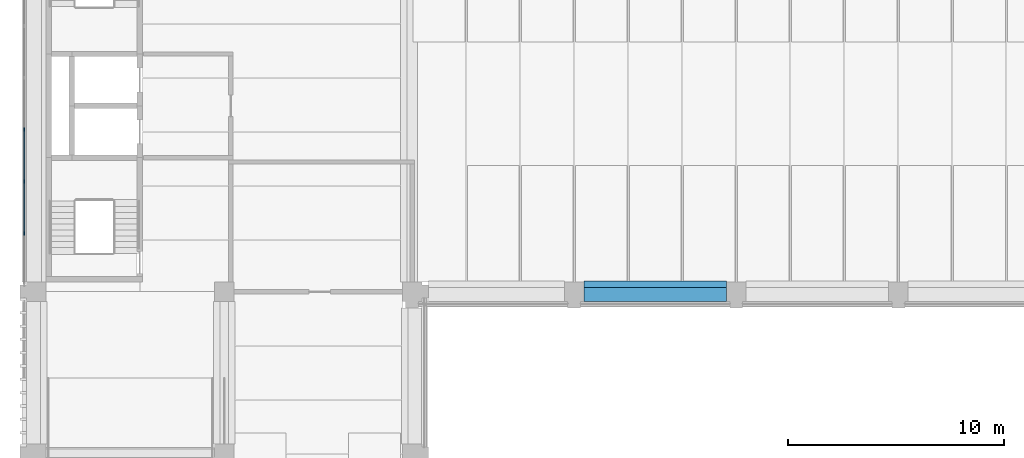
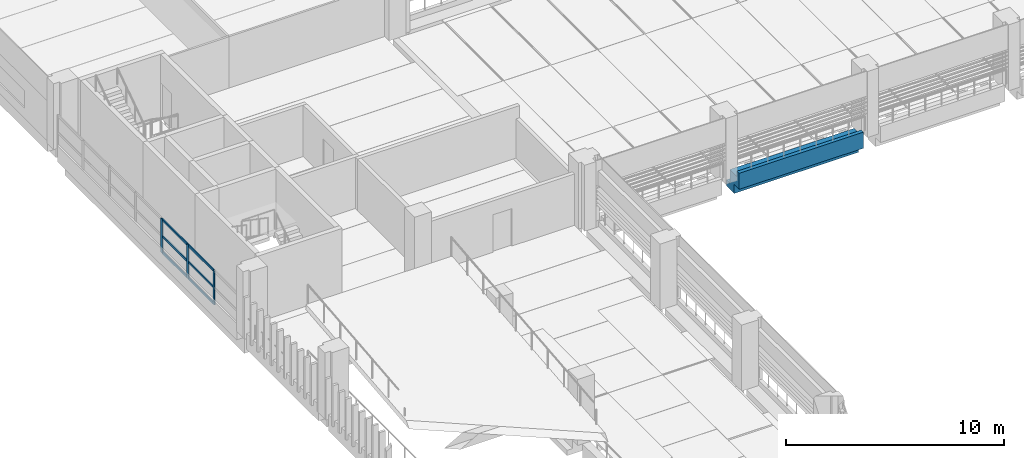
# One storey, part 4 of 57: 9 members, 1 beam, 1 element without a shape of its own.
"""IFC4 building model written with IfcOpenShell, lengths in metres."""

from ifc_helpers import new_model, si_unit, direction, frame, origin, origin_2d, place, context, subcontext, project, spatial, polyline, rectangle, outline, extrude, material, layer, layer_set, material_profile, profile_set, type_object, element, aggregate, save


model = new_model("IFC4")

# Units and contexts
model_context = context("Model", 3, precision=1e-05, world=origin(), true_north=direction((0.0, 1.0)))
body_context = subcontext(model_context, "Body", "Model", "MODEL_VIEW")
ifc_project = project(units=[si_unit("LENGTHUNIT", "METRE"), si_unit("AREAUNIT", "SQUARE_METRE"), si_unit("VOLUMEUNIT", "CUBIC_METRE"), si_unit("PLANEANGLEUNIT", "RADIAN"), si_unit("MASSUNIT", "GRAM", prefix="KILO")], contexts=[model_context])

# Site, building, storey
site_placement = place(None, origin())
site = spatial("IfcSite", under=ifc_project, at=site_placement, CompositionType="ELEMENT")
building_placement = place(site_placement, origin())
building = spatial("IfcBuilding", under=site, at=building_placement, Name="Cour d'Honneur Mobility Palace", CompositionType="ELEMENT")
storey_placement = place(building_placement, frame((0.0, 0.0, 8.199951171875)))
storey = spatial("IfcBuildingStorey", under=building, at=storey_placement, Name="L02", CompositionType="ELEMENT", Elevation=8.199951171875)

# Curtain wall, members
ifc_material_1 = material(Name="Aluminium and glass", Category="aluminium")
ifc_layer = layer(ifc_material_1, 0.10009765625)
ifc_layer_set = layer_set([ifc_layer], Name="Aluminium and glass")
curtain_wall_type = type_object("IfcCurtainWallType", Name="Curtain wall run", PredefinedType="NOTDEFINED", material=ifc_layer_set)
curtain_wall_placement = place(storey_placement, origin())
curtain_wall = element("IfcCurtainWall", 1, at=curtain_wall_placement, inside=storey, type_object=curtain_wall_type, Name="Curtain wall CW-101", PredefinedType="NOTDEFINED")
ifc_material_2 = material(Name="Aluminium", Category="aluminium")
ifc_material_profile_1 = material_profile(ifc_material_2, rectangle(XDim=0.06005859375, YDim=0.159912109375, at=origin_2d()), Name="Curtain wall mullion")
ifc_profile_set_1 = profile_set([ifc_material_profile_1], Name="Aluminium")
member_type_1 = type_object("IfcMemberType", Name="Curtain wall mullion", PredefinedType="MULLION", material=ifc_profile_set_1)
member_1_placement = place(storey_placement, frame((-0.550048828125, 52.5, 0.0), z_axis=(0.0, 0.0, 1.0), x_axis=(1.0, 0.0, 0.0)))
member_1 = element("IfcMember", 2, at=member_1_placement, type_object=member_type_1, Name="CW-101 mullion 5", PredefinedType="MULLION", context=body_context, shape_type="SweptSolid", body=[
    extrude(rectangle(XDim=0.06005859375, YDim=0.159912109375, at=origin_2d()), origin(), (0.0, 0.0, 1.0), 1.900146484375),
])
member_2_placement = place(storey_placement, frame((-0.550048828125, 50.10009765625, 0.0), z_axis=(0.0, 0.0, 1.0), x_axis=(1.0, 0.0, 0.0)))
member_2 = element("IfcMember", 3, at=member_2_placement, type_object=member_type_1, Name="CW-101 mullion 6", PredefinedType="MULLION", context=body_context, shape_type="SweptSolid", body=[
    extrude(rectangle(XDim=0.06005859375, YDim=0.159912109375, at=origin_2d()), origin(), (0.0, 0.0, 1.0), 1.900146484375),
])
member_3_placement = place(storey_placement, frame((-0.550048828125, 47.699951171875, 0.0), z_axis=(0.0, 0.0, 1.0), x_axis=(1.0, 0.0, 0.0)))
member_3 = element("IfcMember", 4, at=member_3_placement, type_object=member_type_1, Name="CW-101 mullion 7", PredefinedType="MULLION", context=body_context, shape_type="SweptSolid", body=[
    extrude(rectangle(XDim=0.06005859375, YDim=0.159912109375, at=origin_2d()), origin(), (0.0, 0.0, 1.0), 1.900146484375),
])
ifc_material_3 = material(Name="Aluminium", Category="aluminium")
ifc_material_profile_2 = material_profile(ifc_material_3, rectangle(XDim=0.06005859375, YDim=0.1201171875, at=origin_2d()), Name="Curtain wall transom")
ifc_profile_set_2 = profile_set([ifc_material_profile_2], Name="Aluminium")
member_type_2 = type_object("IfcMemberType", Name="Curtain wall transom", PredefinedType="USERDEFINED", material=ifc_profile_set_2)
member_4_placement = place(storey_placement, frame((-0.550048828125, 52.469970703125, 0.030029296875), z_axis=(0.0, -1.0, 0.0), x_axis=(1.0, 0.0, 0.0)))
member_4 = element("IfcMember", 5, at=member_4_placement, type_object=member_type_2, Name="CW-101 transom 5.1", ObjectType="TRANSOM", PredefinedType="USERDEFINED", context=body_context, shape_type="SweptSolid", body=[
    extrude(rectangle(XDim=0.06005859375, YDim=0.1201171875, at=origin_2d()), origin(), (0.0, 0.0, 1.0), 2.340087890625),
])
member_5_placement = place(storey_placement, frame((-0.550048828125, 52.469970703125, 0.949951171875), z_axis=(0.0, -1.0, 0.0), x_axis=(1.0, 0.0, 0.0)))
member_5 = element("IfcMember", 6, at=member_5_placement, type_object=member_type_2, Name="CW-101 transom 5.2", ObjectType="TRANSOM", PredefinedType="USERDEFINED", context=body_context, shape_type="SweptSolid", body=[
    extrude(rectangle(XDim=0.06005859375, YDim=0.1201171875, at=origin_2d()), origin(), (0.0, 0.0, 1.0), 2.340087890625),
])
member_6_placement = place(storey_placement, frame((-0.550048828125, 52.469970703125, 1.8701171875), z_axis=(0.0, -1.0, 0.0), x_axis=(1.0, 0.0, 0.0)))
member_6 = element("IfcMember", 7, at=member_6_placement, type_object=member_type_2, Name="CW-101 transom 5.3", ObjectType="TRANSOM", PredefinedType="USERDEFINED", context=body_context, shape_type="SweptSolid", body=[
    extrude(rectangle(XDim=0.06005859375, YDim=0.1201171875, at=origin_2d()), origin(), (0.0, 0.0, 1.0), 2.340087890625),
])
member_7_placement = place(storey_placement, frame((-0.550048828125, 50.070068359375, 0.030029296875), z_axis=(0.0, -1.0, 0.0), x_axis=(1.0, 0.0, 0.0)))
member_7 = element("IfcMember", 8, at=member_7_placement, type_object=member_type_2, Name="CW-101 transom 6.1", ObjectType="TRANSOM", PredefinedType="USERDEFINED", context=body_context, shape_type="SweptSolid", body=[
    extrude(rectangle(XDim=0.06005859375, YDim=0.1201171875, at=origin_2d()), origin(), (0.0, 0.0, 1.0), 2.340087890625),
])
member_8_placement = place(storey_placement, frame((-0.550048828125, 50.070068359375, 0.949951171875), z_axis=(0.0, -1.0, 0.0), x_axis=(1.0, 0.0, 0.0)))
member_8 = element("IfcMember", 9, at=member_8_placement, type_object=member_type_2, Name="CW-101 transom 6.2", ObjectType="TRANSOM", PredefinedType="USERDEFINED", context=body_context, shape_type="SweptSolid", body=[
    extrude(rectangle(XDim=0.06005859375, YDim=0.1201171875, at=origin_2d()), origin(), (0.0, 0.0, 1.0), 2.340087890625),
])
member_9_placement = place(storey_placement, frame((-0.550048828125, 50.070068359375, 1.8701171875), z_axis=(0.0, -1.0, 0.0), x_axis=(1.0, 0.0, 0.0)))
member_9 = element("IfcMember", 10, at=member_9_placement, type_object=member_type_2, Name="CW-101 transom 6.3", ObjectType="TRANSOM", PredefinedType="USERDEFINED", context=body_context, shape_type="SweptSolid", body=[
    extrude(rectangle(XDim=0.06005859375, YDim=0.1201171875, at=origin_2d()), origin(), (0.0, 0.0, 1.0), 2.340087890625),
])
aggregate(curtain_wall, [member_1, member_2, member_3, member_4, member_5, member_6, member_7, member_8, member_9])

# Beam
ifc_material_4 = material(Name="Concrete C45", Category="concrete")
ifc_material_profile_3 = material_profile(ifc_material_4, outline(polyline([(0.5, -1.10009765625), (0.5, -0.75), (0.199951171875, -0.75), (0.199951171875, 0.0), (-0.199951171875, 0.0), (-0.449951171875, 0.0), (-0.449951171875, 0.300048828125), (-0.64990234375, 0.300048828125), (-0.64990234375, -0.60009765625), (-0.199951171875, -0.60009765625), (-0.199951171875, -1.10009765625), (0.5, -1.10009765625)])), Name="Ledger Beam 400x1100 ledge left 350 facade right")
ifc_profile_set_3 = profile_set([ifc_material_profile_3], Name="Concrete C45")
beam_type = type_object("IfcBeamType", Name="Ledger Beam 400x1100 ledge left 350 facade right", PredefinedType="BEAM", material=ifc_profile_set_3)
beam_placement = place(storey_placement, frame((25.35009765625, 45.0, 0.0), z_axis=(1.0, 0.0, 0.0), x_axis=(0.0, 1.0, 0.0)))
element("IfcBeam", 11, at=beam_placement, inside=storey, type_object=beam_type, Name="Precast beam B2 3-4 L02", PredefinedType="BEAM", context=body_context, shape_type="SweptSolid", body=[
    extrude(outline(polyline([(0.5, -1.10009765625), (0.5, -0.75), (0.199951171875, -0.75), (0.199951171875, 0.0), (-0.199951171875, 0.0), (-0.449951171875, 0.0), (-0.449951171875, 0.300048828125), (-0.64990234375, 0.300048828125), (-0.64990234375, -0.60009765625), (-0.199951171875, -0.60009765625), (-0.199951171875, -1.10009765625), (0.5, -1.10009765625)])), origin(), (0.0, 0.0, 1.0), 6.599853515625),
])

save(model, "model.ifc")
